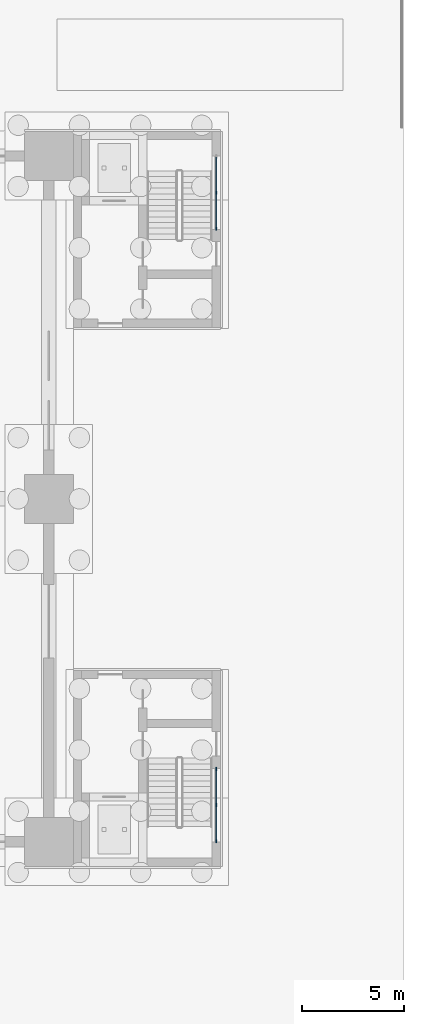
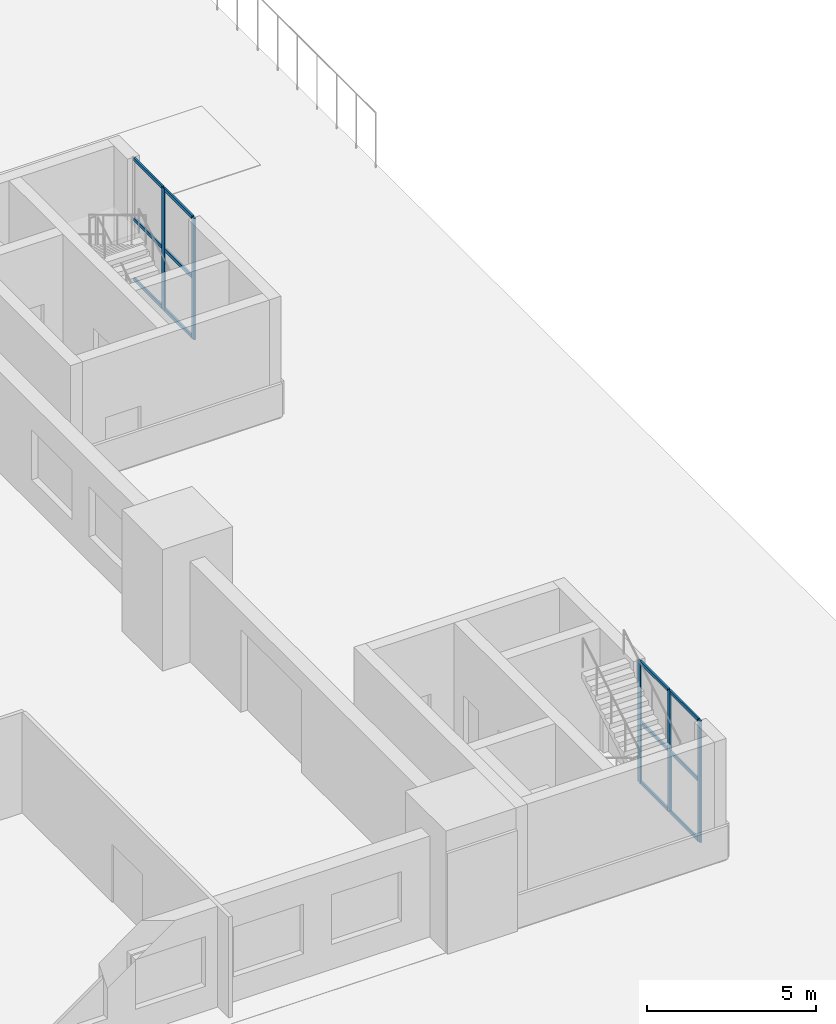
# One storey, part 46 of 139: 17 members, 2 elements without a shape of their own.
"""IFC4 building model written with IfcOpenShell, lengths in metres."""

import ifcopenshell
import ifcopenshell.guid

model = None  # the IFC model being written
_history = None  # IfcOwnerHistory: only IFC2X3 demands one
_inside = {}  # id of a spatial element -> (the spatial element, [elements in it])
_under = {}  # id of a project, library or spatial element -> (it, [spatial elements below it])
_declared = {}  # id of a project -> (the project, [libraries it declares])
_typed = {}  # id of a type object -> (the type object, [elements of that type])
_made_of = {}  # id of a material, layer set ... -> (it, [elements and type objects made of it])


def new_model(schema):
    """Start an empty IFC model of exactly this schema.

    Asked for "IFC4X3", IfcOpenShell would pick the latest addendum, in which some entities
    have other attributes; the version numbers below select the first issue.
    IFC2X3 requires an IfcOwnerHistory on every rooted entity: one is made here for all.
    """
    global model, _history
    if schema == "IFC4X3":
        model = ifcopenshell.file(schema_version=(4, 3, 0, 0))
    else:
        model = ifcopenshell.file(schema=schema)
    _inside.clear()
    _under.clear()
    _declared.clear()
    _typed.clear()
    _made_of.clear()
    _history = None
    if model.schema == "IFC2X3":
        org = make("IfcOrganization", Name="unknown")
        user = make(
            "IfcPersonAndOrganization",
            ThePerson=make("IfcPerson", FamilyName="unknown"),
            TheOrganization=org,
        )
        app = make(
            "IfcApplication",
            ApplicationDeveloper=org,
            Version="unknown",
            ApplicationFullName="unknown",
            ApplicationIdentifier="unknown",
        )
        _history = make(
            "IfcOwnerHistory",
            OwningUser=user,
            OwningApplication=app,
            ChangeAction="ADDED",
            CreationDate=0,
        )
    return model


def make(cls, **values):
    """One entity of the class cls with the attributes given. An attribute that is None is left unset."""
    return model.create_entity(
        cls, **{name: value for name, value in values.items() if value is not None}
    )


def rooted(cls, **values):
    """An entity with a GlobalId (a new one), such as an element, a storey or a relation."""
    return make(cls, GlobalId=ifcopenshell.guid.new(), OwnerHistory=_history, **values)


def si_unit(unit_type, name, prefix=None):
    """IfcSIUnit, for example si_unit("LENGTHUNIT", "METRE", prefix="MILLI")."""
    return make("IfcSIUnit", UnitType=unit_type, Prefix=prefix, Name=name)


def assignment(units):
    """IfcUnitAssignment: the units of a project."""
    return None if units is None else make("IfcUnitAssignment", Units=units)


def point(xyz):
    """IfcCartesianPoint."""
    return None if xyz is None else make("IfcCartesianPoint", Coordinates=xyz)


def direction(xyz):
    """IfcDirection."""
    return None if xyz is None else make("IfcDirection", DirectionRatios=xyz)


def frame(location, z_axis=None, x_axis=None):
    """IfcAxis2Placement3D, a coordinate frame: its origin and axes. An axis left out is left unset."""
    return make(
        "IfcAxis2Placement3D",
        Location=point(location),
        Axis=direction(z_axis),
        RefDirection=direction(x_axis),
    )


def frame_2d(location, x_axis=None):
    """IfcAxis2Placement2D, a coordinate frame in the plane: its origin and x axis."""
    return make(
        "IfcAxis2Placement2D", Location=point(location), RefDirection=direction(x_axis)
    )


def origin():
    """The frame at (0, 0, 0) with its axes left unset."""
    return frame((0.0, 0.0, 0.0))


def origin_2d():
    """The frame at (0, 0) in the plane with its x axis left unset."""
    return frame_2d((0.0, 0.0))


def place(relative_to, where):
    """IfcLocalPlacement: puts the frame where relative to a parent placement (None: the world)."""
    return make(
        "IfcLocalPlacement", PlacementRelTo=relative_to, RelativePlacement=where
    )


def context(
    kind, dimensions, precision=None, world=None, true_north=None, identifier=None
):
    """IfcGeometricRepresentationContext, for example the 3D "Model" context."""
    return make(
        "IfcGeometricRepresentationContext",
        ContextIdentifier=identifier,
        ContextType=kind,
        CoordinateSpaceDimension=dimensions,
        Precision=precision,
        WorldCoordinateSystem=world,
        TrueNorth=true_north,
    )


def subcontext(parent, identifier, kind, view, scale=None):
    """IfcGeometricRepresentationSubContext, for example "Body" below "Model"."""
    return make(
        "IfcGeometricRepresentationSubContext",
        ContextIdentifier=identifier,
        ContextType=kind,
        ParentContext=parent,
        TargetScale=scale,
        TargetView=view,
    )


def project(units=None, contexts=None):
    """IfcProject with its units and contexts."""
    return rooted(
        "IfcProject",
        Name="project",
        RepresentationContexts=contexts,
        UnitsInContext=assignment(units),
    )


def spatial(cls, under=None, at=None, **own):
    """A site, building, storey or space (cls), placed at a placement, below another one or the project."""
    s = rooted(cls, ObjectPlacement=at, **own)
    if under is not None:
        _under.setdefault(under.id(), (under, []))[1].append(s)
    return s


def profile(cls, at=None, kind="AREA", **sizes):
    """A parametric profile (cls). Its sizes go by their IFC names, for example OverallWidth=200.0."""
    return make(cls, ProfileType=kind, Position=at, **sizes)


def rectangle(**sizes):
    """IfcRectangleProfileDef."""
    return profile("IfcRectangleProfileDef", **sizes)


def extrude(swept, where, along, depth):
    """IfcExtrudedAreaSolid: the profile swept, set in the frame where, extruded along a direction by depth."""
    return make(
        "IfcExtrudedAreaSolid",
        SweptArea=swept,
        Position=where,
        ExtrudedDirection=direction(along),
        Depth=depth,
    )


def shape(context_of_items, identifier, shape_type, items):
    """IfcShapeRepresentation: the items that make up one representation, for example the "Body"."""
    return make(
        "IfcShapeRepresentation",
        ContextOfItems=context_of_items,
        RepresentationIdentifier=identifier,
        RepresentationType=shape_type,
        Items=items,
    )


def material(Name=None, Category=None):
    """IfcMaterial."""
    return make("IfcMaterial", Name=Name, Category=Category)


def material_profile(
    of_material, cross_section, Name=None, Category=None, Priority=None
):
    """IfcMaterialProfile: a cross section and its material."""
    return make(
        "IfcMaterialProfile",
        Name=Name,
        Material=of_material,
        Profile=cross_section,
        Priority=Priority,
        Category=Category,
    )


def profile_set(profiles, Name=None, composite=None):
    """IfcMaterialProfileSet."""
    return make(
        "IfcMaterialProfileSet",
        Name=Name,
        MaterialProfiles=profiles,
        CompositeProfile=composite,
    )


def made_of(thing, what):
    """Note that an element or type object is made of a material, layer set ...; save() writes the relation."""
    if what is not None:
        _made_of.setdefault(what.id(), (what, []))[1].append(thing)
    return thing


def type_object(cls, material=None, **own):
    """A type object (cls), such as IfcWallType, which elements share."""
    return made_of(rooted(cls, **own), material)


def element(
    cls,
    number,
    at=None,
    inside=None,
    cuts=None,
    type_object=None,
    material=None,
    context=None,
    identifier="Body",
    shape_type=None,
    held_by="IfcProductDefinitionShape",
    body=None,
    shapes=None,
    **own,
):
    """One element of the class cls, such as IfcWall. Its Tag is "e" and its number.

    at: its placement. inside: the storey or other place that contains it. cuts: it is an
    opening in that element (IfcRelVoidsElement). A single representation is given by context,
    identifier, shape_type and body (its items); several are given by shapes. held_by: the class
    of the entity that holds the representations. save() writes the other relations.
    """
    e = rooted(cls, Tag="e%d" % number, ObjectPlacement=at, **own)
    if body is not None:
        shapes = [shape(context, identifier, shape_type, body)]
    if shapes is not None:
        e.Representation = make(held_by, Representations=shapes)
    if inside is not None:
        _inside.setdefault(inside.id(), (inside, []))[1].append(e)
    if cuts is not None:
        rooted(
            "IfcRelVoidsElement", RelatingBuildingElement=cuts, RelatedOpeningElement=e
        )
    if type_object is not None:
        _typed.setdefault(type_object.id(), (type_object, []))[1].append(e)
    return made_of(e, material)


def aggregate(whole, parts):
    """IfcRelAggregates: a whole, such as a stair, and the parts it consists of."""
    return rooted("IfcRelAggregates", RelatingObject=whole, RelatedObjects=parts)


def save(model, path):
    """Write the relations noted so far, then the file.

    IfcRelAggregates (storeys below a building ...), IfcRelContainedInSpatialStructure (elements
    in a storey), IfcRelDefinesByType, IfcRelAssociatesMaterial and IfcRelDeclares: one each for
    every whole, place, type object, material and project.
    """
    for whole, parts in _under.values():
        aggregate(whole, parts)
    for where, things in _inside.values():
        rooted(
            "IfcRelContainedInSpatialStructure",
            RelatedElements=things,
            RelatingStructure=where,
        )
    for kind, things in _typed.values():
        rooted("IfcRelDefinesByType", RelatedObjects=things, RelatingType=kind)
    for what, things in _made_of.values():
        rooted("IfcRelAssociatesMaterial", RelatedObjects=things, RelatingMaterial=what)
    for by, libraries in _declared.values():
        rooted("IfcRelDeclares", RelatingContext=by, RelatedDefinitions=libraries)
    model.write(path)


model = new_model("IFC4")

# Units and contexts
model_context = context("Model", 3, precision=1e-05, world=origin(), true_north=direction((0.0, 1.0)))
body_context = subcontext(model_context, "Body", "Model", "MODEL_VIEW")
ifc_project = project(units=[si_unit("LENGTHUNIT", "METRE"), si_unit("AREAUNIT", "SQUARE_METRE"), si_unit("VOLUMEUNIT", "CUBIC_METRE"), si_unit("PLANEANGLEUNIT", "RADIAN"), si_unit("MASSUNIT", "GRAM", prefix="KILO")], contexts=[model_context])

# Site, building, storey
site_placement = place(None, origin())
site = spatial("IfcSite", under=ifc_project, at=site_placement, CompositionType="ELEMENT")
building_placement = place(site_placement, origin())
building = spatial("IfcBuilding", under=site, at=building_placement, Name="Verrick Yard Athletic Hall", CompositionType="ELEMENT")
storey_placement = place(building_placement, origin())
storey = spatial("IfcBuildingStorey", under=building, at=storey_placement, Name="L00", CompositionType="ELEMENT", Elevation=0.0)

# Curtain wall, members
ifc_material = material(Name="Aluminium 6063-T5", Category="aluminium")
curtain_wall_type = type_object("IfcCurtainWallType", Name="Core glazing strip", PredefinedType="NOTDEFINED", material=ifc_material)
curtain_wall_1_placement = place(storey_placement, origin())
curtain_wall_1 = element("IfcCurtainWall", 1, at=curtain_wall_1_placement, inside=storey, type_object=curtain_wall_type, Name="CORE-CB3-CW-L00", PredefinedType="NOTDEFINED")
ifc_material_profile_1 = material_profile(ifc_material, rectangle(XDim=0.06005859375, YDim=0.159912109375, at=origin_2d()), Name="Core glazing mullion 60x160")
ifc_profile_set_1 = profile_set([ifc_material_profile_1], Name="Aluminium 6063-T5")
member_type_1 = type_object("IfcMemberType", Name="Core glazing mullion 60x160", PredefinedType="MULLION", material=ifc_profile_set_1)
member_1_placement = place(storey_placement, frame((165.800048828125, 19.22998046875, 0.0), z_axis=(0.0, 0.0, 1.0), x_axis=(-1.0, 0.0, 0.0)))
member_1 = element("IfcMember", 2, at=member_1_placement, type_object=member_type_1, Name="CW5 mullion 1", PredefinedType="MULLION", context=body_context, shape_type="SweptSolid", body=[
    extrude(rectangle(XDim=0.06005859375, YDim=0.159912109375, at=origin_2d()), origin(), (0.0, 0.0, 1.0), 4.39990234375),
])
member_2_placement = place(storey_placement, frame((165.800048828125, 21.0, 0.0), z_axis=(0.0, 0.0, 1.0), x_axis=(-1.0, 0.0, 0.0)))
member_2 = element("IfcMember", 3, at=member_2_placement, type_object=member_type_1, Name="CW5 mullion 2", PredefinedType="MULLION", context=body_context, shape_type="SweptSolid", body=[
    extrude(rectangle(XDim=0.06005859375, YDim=0.159912109375, at=origin_2d()), origin(), (0.0, 0.0, 1.0), 4.39990234375),
])
member_3_placement = place(storey_placement, frame((165.800048828125, 22.77001953125, 0.0), z_axis=(0.0, 0.0, 1.0), x_axis=(-1.0, 0.0, 0.0)))
member_3 = element("IfcMember", 4, at=member_3_placement, type_object=member_type_1, Name="CW5 mullion 3", PredefinedType="MULLION", context=body_context, shape_type="SweptSolid", body=[
    extrude(rectangle(XDim=0.06005859375, YDim=0.159912109375, at=origin_2d()), origin(), (0.0, 0.0, 1.0), 4.39990234375),
])

curtain_wall_2_placement = place(storey_placement, origin())
curtain_wall_2 = element("IfcCurtainWall", 5, at=curtain_wall_2_placement, inside=storey, type_object=curtain_wall_type, Name="CORE-CB4-CW-L00", PredefinedType="NOTDEFINED")
member_4_placement = place(storey_placement, frame((165.800048828125, 49.22998046875, 0.0), z_axis=(0.0, 0.0, 1.0), x_axis=(-1.0, 0.0, 0.0)))
member_4 = element("IfcMember", 6, at=member_4_placement, type_object=member_type_1, Name="CW5 mullion 1", PredefinedType="MULLION", context=body_context, shape_type="SweptSolid", body=[
    extrude(rectangle(XDim=0.06005859375, YDim=0.159912109375, at=origin_2d()), origin(), (0.0, 0.0, 1.0), 4.39990234375),
])
member_5_placement = place(storey_placement, frame((165.800048828125, 51.0, 0.0), z_axis=(0.0, 0.0, 1.0), x_axis=(-1.0, 0.0, 0.0)))
member_5 = element("IfcMember", 7, at=member_5_placement, type_object=member_type_1, Name="CW5 mullion 2", PredefinedType="MULLION", context=body_context, shape_type="SweptSolid", body=[
    extrude(rectangle(XDim=0.06005859375, YDim=0.159912109375, at=origin_2d()), origin(), (0.0, 0.0, 1.0), 4.39990234375),
])

# Member
ifc_material_profile_2 = material_profile(ifc_material, rectangle(XDim=0.06005859375, YDim=0.1201171875, at=origin_2d()), Name="Core glazing transom 60x120")
ifc_profile_set_2 = profile_set([ifc_material_profile_2], Name="Aluminium 6063-T5")
member_type_2 = type_object("IfcMemberType", Name="Core glazing transom 60x120", PredefinedType="USERDEFINED", material=ifc_profile_set_2)
member_6_placement = place(storey_placement, frame((165.800048828125, 19.260009765625, 0.030029296875), z_axis=(0.0, 1.0, 0.0), x_axis=(-1.0, 0.0, 0.0)))
member_6 = element("IfcMember", 8, at=member_6_placement, type_object=member_type_2, Name="CW5 transom 1.1", ObjectType="TRANSOM", PredefinedType="USERDEFINED", context=body_context, shape_type="SweptSolid", body=[
    extrude(rectangle(XDim=0.06005859375, YDim=0.1201171875, at=origin_2d()), origin(), (0.0, 0.0, 1.0), 1.7099609375),
])

member_7_placement = place(storey_placement, frame((165.800048828125, 19.260009765625, 2.199951171875), z_axis=(0.0, 1.0, 0.0), x_axis=(-1.0, 0.0, 0.0)))
member_7 = element("IfcMember", 9, at=member_7_placement, type_object=member_type_2, Name="CW5 transom 1.2", ObjectType="TRANSOM", PredefinedType="USERDEFINED", context=body_context, shape_type="SweptSolid", body=[
    extrude(rectangle(XDim=0.06005859375, YDim=0.1201171875, at=origin_2d()), origin(), (0.0, 0.0, 1.0), 1.7099609375),
])

member_8_placement = place(storey_placement, frame((165.800048828125, 19.260009765625, 4.3701171875), z_axis=(0.0, 1.0, 0.0), x_axis=(-1.0, 0.0, 0.0)))
member_8 = element("IfcMember", 10, at=member_8_placement, type_object=member_type_2, Name="CW5 transom 1.3", ObjectType="TRANSOM", PredefinedType="USERDEFINED", context=body_context, shape_type="SweptSolid", body=[
    extrude(rectangle(XDim=0.06005859375, YDim=0.1201171875, at=origin_2d()), origin(), (0.0, 0.0, 1.0), 1.7099609375),
])

member_9_placement = place(storey_placement, frame((165.800048828125, 21.030029296875, 0.030029296875), z_axis=(0.0, 1.0, 0.0), x_axis=(-1.0, 0.0, 0.0)))
member_9 = element("IfcMember", 11, at=member_9_placement, type_object=member_type_2, Name="CW5 transom 2.1", ObjectType="TRANSOM", PredefinedType="USERDEFINED", context=body_context, shape_type="SweptSolid", body=[
    extrude(rectangle(XDim=0.06005859375, YDim=0.1201171875, at=origin_2d()), origin(), (0.0, 0.0, 1.0), 1.7099609375),
])

member_10_placement = place(storey_placement, frame((165.800048828125, 21.030029296875, 2.199951171875), z_axis=(0.0, 1.0, 0.0), x_axis=(-1.0, 0.0, 0.0)))
member_10 = element("IfcMember", 12, at=member_10_placement, type_object=member_type_2, Name="CW5 transom 2.2", ObjectType="TRANSOM", PredefinedType="USERDEFINED", context=body_context, shape_type="SweptSolid", body=[
    extrude(rectangle(XDim=0.06005859375, YDim=0.1201171875, at=origin_2d()), origin(), (0.0, 0.0, 1.0), 1.7099609375),
])

member_11_placement = place(storey_placement, frame((165.800048828125, 21.030029296875, 4.3701171875), z_axis=(0.0, 1.0, 0.0), x_axis=(-1.0, 0.0, 0.0)))
member_11 = element("IfcMember", 13, at=member_11_placement, type_object=member_type_2, Name="CW5 transom 2.3", ObjectType="TRANSOM", PredefinedType="USERDEFINED", context=body_context, shape_type="SweptSolid", body=[
    extrude(rectangle(XDim=0.06005859375, YDim=0.1201171875, at=origin_2d()), origin(), (0.0, 0.0, 1.0), 1.7099609375),
])

aggregate(curtain_wall_1, [member_1, member_2, member_3, member_6, member_7, member_8, member_9, member_10, member_11])

member_12_placement = place(storey_placement, frame((165.800048828125, 49.260009765625, 0.030029296875), z_axis=(0.0, 1.0, 0.0), x_axis=(-1.0, 0.0, 0.0)))
member_12 = element("IfcMember", 14, at=member_12_placement, type_object=member_type_2, Name="CW5 transom 1.1", ObjectType="TRANSOM", PredefinedType="USERDEFINED", context=body_context, shape_type="SweptSolid", body=[
    extrude(rectangle(XDim=0.06005859375, YDim=0.1201171875, at=origin_2d()), origin(), (0.0, 0.0, 1.0), 1.7099609375),
])

member_13_placement = place(storey_placement, frame((165.800048828125, 49.260009765625, 2.199951171875), z_axis=(0.0, 1.0, 0.0), x_axis=(-1.0, 0.0, 0.0)))
member_13 = element("IfcMember", 15, at=member_13_placement, type_object=member_type_2, Name="CW5 transom 1.2", ObjectType="TRANSOM", PredefinedType="USERDEFINED", context=body_context, shape_type="SweptSolid", body=[
    extrude(rectangle(XDim=0.06005859375, YDim=0.1201171875, at=origin_2d()), origin(), (0.0, 0.0, 1.0), 1.7099609375),
])

member_14_placement = place(storey_placement, frame((165.800048828125, 49.260009765625, 4.3701171875), z_axis=(0.0, 1.0, 0.0), x_axis=(-1.0, 0.0, 0.0)))
member_14 = element("IfcMember", 16, at=member_14_placement, type_object=member_type_2, Name="CW5 transom 1.3", ObjectType="TRANSOM", PredefinedType="USERDEFINED", context=body_context, shape_type="SweptSolid", body=[
    extrude(rectangle(XDim=0.06005859375, YDim=0.1201171875, at=origin_2d()), origin(), (0.0, 0.0, 1.0), 1.7099609375),
])

member_15_placement = place(storey_placement, frame((165.800048828125, 51.030029296875, 0.030029296875), z_axis=(0.0, 1.0, 0.0), x_axis=(-1.0, 0.0, 0.0)))
member_15 = element("IfcMember", 17, at=member_15_placement, type_object=member_type_2, Name="CW5 transom 2.1", ObjectType="TRANSOM", PredefinedType="USERDEFINED", context=body_context, shape_type="SweptSolid", body=[
    extrude(rectangle(XDim=0.06005859375, YDim=0.1201171875, at=origin_2d()), origin(), (0.0, 0.0, 1.0), 1.7099609375),
])

member_16_placement = place(storey_placement, frame((165.800048828125, 51.030029296875, 2.199951171875), z_axis=(0.0, 1.0, 0.0), x_axis=(-1.0, 0.0, 0.0)))
member_16 = element("IfcMember", 18, at=member_16_placement, type_object=member_type_2, Name="CW5 transom 2.2", ObjectType="TRANSOM", PredefinedType="USERDEFINED", context=body_context, shape_type="SweptSolid", body=[
    extrude(rectangle(XDim=0.06005859375, YDim=0.1201171875, at=origin_2d()), origin(), (0.0, 0.0, 1.0), 1.7099609375),
])

member_17_placement = place(storey_placement, frame((165.800048828125, 51.030029296875, 4.3701171875), z_axis=(0.0, 1.0, 0.0), x_axis=(-1.0, 0.0, 0.0)))
member_17 = element("IfcMember", 19, at=member_17_placement, type_object=member_type_2, Name="CW5 transom 2.3", ObjectType="TRANSOM", PredefinedType="USERDEFINED", context=body_context, shape_type="SweptSolid", body=[
    extrude(rectangle(XDim=0.06005859375, YDim=0.1201171875, at=origin_2d()), origin(), (0.0, 0.0, 1.0), 1.7099609375),
])

aggregate(curtain_wall_2, [member_4, member_5, member_12, member_13, member_14, member_15, member_16, member_17])

save(model, "model.ifc")
